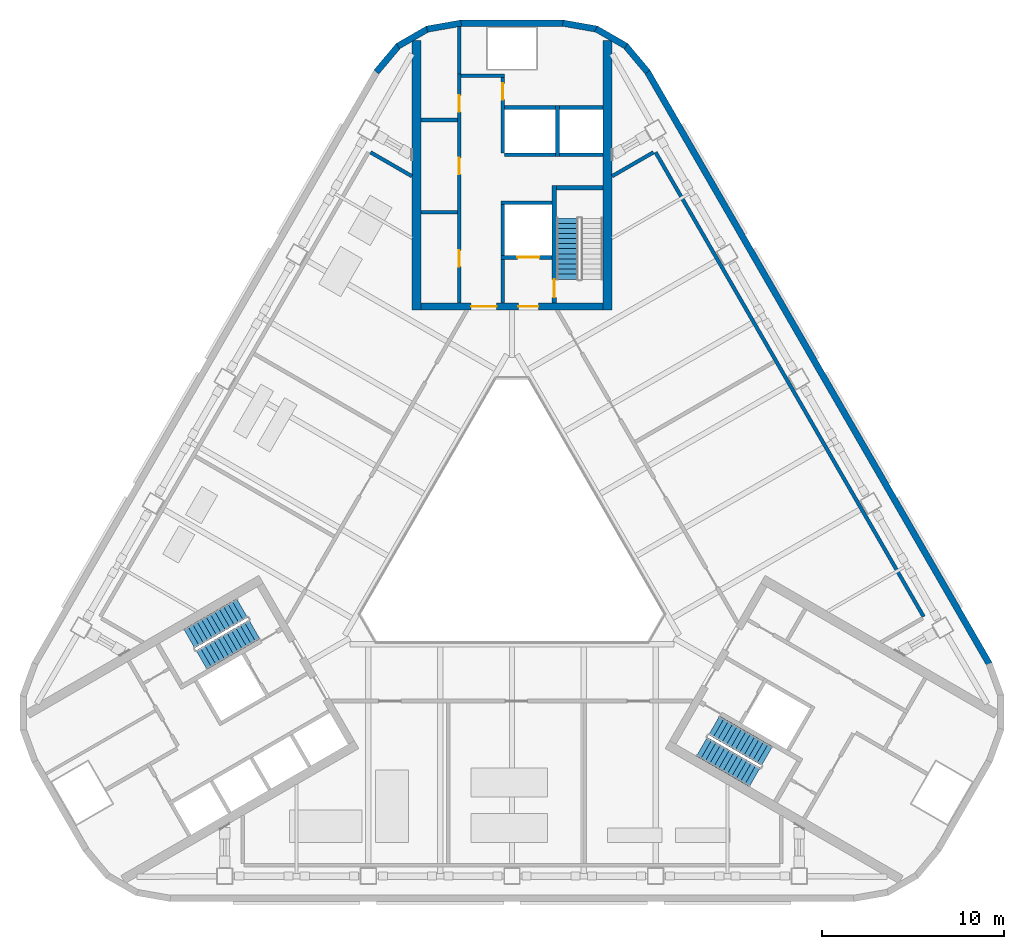
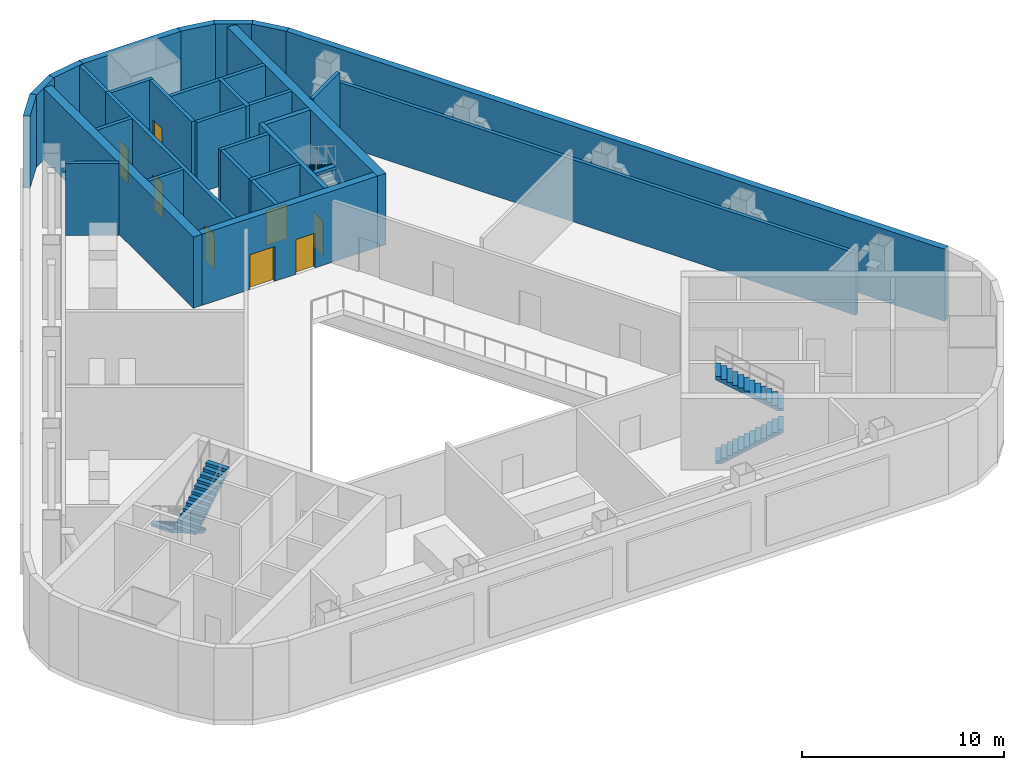
# One storey, part 8 of 14: 31 walls, 8 doors, 5 stair flights, 8 openings, 3 elements without a shape of their own.
"""IFC4 building model written with IfcOpenShell, lengths in metres."""

from ifc_helpers import new_model, si_unit, direction, frame, frame_2d, origin, place, context, subcontext, project, spatial, polyline, rectangle, outline, extrude, material, layer, layer_set, type_object, element, fill, aggregate, save


model = new_model("IFC4")

# Units and contexts
model_context = context("Model", 3, precision=1e-05, world=origin(), true_north=direction((0.0, 1.0)))
body_context = subcontext(model_context, "Body", "Model", "MODEL_VIEW")
ifc_project = project(units=[si_unit("LENGTHUNIT", "METRE"), si_unit("AREAUNIT", "SQUARE_METRE"), si_unit("VOLUMEUNIT", "CUBIC_METRE"), si_unit("PLANEANGLEUNIT", "RADIAN"), si_unit("MASSUNIT", "GRAM", prefix="KILO")], contexts=[model_context])

# Site, building, storey
site_placement = place(None, origin())
site = spatial("IfcSite", under=ifc_project, at=site_placement, CompositionType="ELEMENT")
building_placement = place(site_placement, origin())
building = spatial("IfcBuilding", under=site, at=building_placement, Name="Apuvela Tower Hotel", CompositionType="ELEMENT")
storey_placement = place(building_placement, frame((0.0, 0.0, 142.10009765625)))
storey = spatial("IfcBuildingStorey", under=building, at=storey_placement, Name="L33 Plant", CompositionType="ELEMENT", Elevation=142.10009765625)

# Wall, openings, doors
ifc_material_1 = material(Name="Concrete C50/60", Category="concrete")
ifc_layer_1 = layer(ifc_material_1, 0.39990234375)
ifc_layer_set_1 = layer_set([ifc_layer_1], Name="COR-WALL-CORE-400")
wall_type_1 = type_object("IfcWallType", Name="COR-WALL-CORE-400", PredefinedType="SHEAR", material=ifc_layer_set_1)
wall_1_placement = place(storey_placement, frame((5.0, 13.10009765625, 0.0), z_axis=(0.0, 0.0, 1.0), x_axis=(-1.0, 0.0, 0.0)))
wall_1 = element("IfcWall", 1, at=wall_1_placement, inside=storey, type_object=wall_type_1, Name="Core wall N", PredefinedType="SHEAR", context=body_context, shape_type="SweptSolid", body=[
    extrude(rectangle(XDim=10.0, YDim=0.39990234375, at=frame_2d((5.0, 0.0))), origin(), (0.0, 0.0, 1.0), 4.2998046875),
])
opening_1_placement = place(wall_1_placement, frame((3.550048828125, 0.0, 0.0)))
opening_1 = element("IfcOpeningElement", 2, at=opening_1_placement, cuts=wall_1, Name="Opening N-FD", PredefinedType="OPENING", context=body_context, shape_type="SweptSolid", body=[
    extrude(rectangle(XDim=1.10009765625, YDim=2.10009765625, at=frame_2d((0.550048828125, 1.050048828125))), frame((0.0, 0.2099609375, 0.0), z_axis=(0.0, -1.0, 0.0), x_axis=(1.0, 0.0, 0.0)), (0.0, 0.0, 1.0), 0.419921875),
])
opening_2_placement = place(wall_1_placement, frame((5.85009765625, 0.0, 0.0)))
opening_2 = element("IfcOpeningElement", 3, at=opening_2_placement, cuts=wall_1, Name="Opening N-GD", PredefinedType="OPENING", context=body_context, shape_type="SweptSolid", body=[
    extrude(rectangle(XDim=1.39990234375, YDim=2.10009765625, at=frame_2d((0.699951171875, 1.050048828125))), frame((0.0, 0.2099609375, 0.0), z_axis=(0.0, -1.0, 0.0), x_axis=(1.0, 0.0, 0.0)), (0.0, 0.0, 1.0), 0.419921875),
])
ifc_material_2 = material(Name="Steel fire door, powder coated", Category="steel")
door_type_1 = type_object("IfcDoorType", Name="COR-FD-1100", OperationType="NOTDEFINED", PredefinedType="DOOR", material=ifc_material_2)
door_1_placement = place(opening_1_placement, frame((1.10009765625, 0.0, 0.0), z_axis=(0.0, 0.0, 1.0), x_axis=(-1.0, 0.0, 0.0)))
door_1 = element("IfcDoor", 4, at=door_1_placement, inside=storey, type_object=door_type_1, Name="Firefighting lobby door N-FD", OperationType="SINGLE_SWING_LEFT", OverallHeight=2.10009765625, OverallWidth=1.10009765625, PredefinedType="DOOR", context=body_context, shape_type="SweptSolid", body=[
    extrude(rectangle(XDim=1.10009765625, YDim=2.10009765625, at=frame_2d((0.550048828125, 1.050048828125))), frame((0.0, 0.02490234375, 0.0), z_axis=(0.0, -1.0, 0.0), x_axis=(1.0, 0.0, 0.0)), (0.0, 0.0, 1.0), 0.050048828125),
])
fill(opening_1, door_1)
ifc_material_3 = material(Name="Glazed steel fire door", Category="steel")
door_type_2 = type_object("IfcDoorType", Name="COR-GD-1400", OperationType="DOUBLE_DOOR_SINGLE_SWING", PredefinedType="DOOR", material=ifc_material_3)
door_2_placement = place(opening_2_placement, frame((1.39990234375, 0.0, 0.0), z_axis=(0.0, 0.0, 1.0), x_axis=(-1.0, 0.0, 0.0)))
door_2 = element("IfcDoor", 5, at=door_2_placement, inside=storey, type_object=door_type_2, Name="Lift lobby door N-GD", OperationType="DOUBLE_DOOR_SINGLE_SWING", OverallHeight=2.10009765625, OverallWidth=1.39990234375, PredefinedType="DOOR", context=body_context, shape_type="SweptSolid", body=[
    extrude(rectangle(XDim=1.39990234375, YDim=2.10009765625, at=frame_2d((0.699951171875, 1.050048828125))), frame((0.0, 0.02490234375, 0.0), z_axis=(0.0, -1.0, 0.0), x_axis=(1.0, 0.0, 0.0)), (0.0, 0.0, 1.0), 0.050048828125),
])
fill(opening_2, door_2)

# Walls
ifc_layer_2 = layer(ifc_material_1, 0.5)
ifc_layer_set_2 = layer_set([ifc_layer_2], Name="COR-WALL-CORE-500")
wall_type_2 = type_object("IfcWallType", Name="COR-WALL-CORE-500", PredefinedType="SHEAR", material=ifc_layer_set_2)
for number, where, z_axis, x_axis, name in (
    (6, (5.25, 12.89990234375, 0.0), (0.0, 0.0, 1.0), (0.0, 1.0, 0.0), "Core wall N"),
    (7, (-5.25, 12.89990234375, 0.0), (0.0, 0.0, 1.0), (0.0, 1.0, 0.0), "Core wall N"),
):
    element("IfcWall", number, at=place(storey_placement, frame(where, z_axis=z_axis, x_axis=x_axis)), inside=storey, type_object=wall_type_2, Name=name, PredefinedType="SHEAR", context=body_context, shape_type="SweptSolid", body=[
        extrude(rectangle(XDim=14.8369140625, YDim=0.5, at=frame_2d((7.41845703125, 0.0))), origin(), (0.0, 0.0, 1.0), 4.2998046875),
    ])
ifc_material_4 = material(Name="Blockwork 200 mm plastered", Category="masonry")
ifc_layer_3 = layer(ifc_material_4, 0.199951171875)
ifc_layer_set_3 = layer_set([ifc_layer_3], Name="COR-WALL-PART-200")
wall_type_3 = type_object("IfcWallType", Name="COR-WALL-PART-200", PredefinedType="PARTITIONING", material=ifc_layer_set_3)
wall_2_placement = place(storey_placement, frame((5.0, 21.449951171875, 0.0), z_axis=(0.0, 0.0, 1.0), x_axis=(-1.0, 0.0, 0.0)))
element("IfcWall", 8, at=wall_2_placement, inside=storey, type_object=wall_type_3, Name="Partition N", PredefinedType="PARTITIONING", context=body_context, shape_type="SweptSolid", body=[
    extrude(rectangle(XDim=2.39990234375, YDim=0.199951171875, at=frame_2d((1.199951171875, 0.0))), origin(), (0.0, 0.0, 1.0), 4.2998046875),
])
wall_3_placement = place(storey_placement, frame((2.39990234375, 21.449951171875, 0.0), z_axis=(0.0, 0.0, 1.0), x_axis=(-1.0, 0.0, 0.0)))
element("IfcWall", 9, at=wall_3_placement, inside=storey, type_object=wall_type_3, Name="Partition N", PredefinedType="PARTITIONING", context=body_context, shape_type="SweptSolid", body=[
    extrude(rectangle(XDim=2.7998046875, YDim=0.199951171875, at=frame_2d((1.39990234375, 0.0))), origin(), (0.0, 0.0, 1.0), 4.2998046875),
])
ifc_layer_4 = layer(ifc_material_1, 0.199951171875)
ifc_layer_set_4 = layer_set([ifc_layer_4], Name="COR-WALL-SHAFT-200")
wall_type_4 = type_object("IfcWallType", Name="COR-WALL-SHAFT-200", PredefinedType="SHEAR", material=ifc_layer_set_4)
wall_4_placement = place(storey_placement, frame((2.199951171875, 18.800048828125, 0.0), z_axis=(0.0, 0.0, 1.0), x_axis=(-1.0, 0.0, 0.0)))
element("IfcWall", 10, at=wall_4_placement, inside=storey, type_object=wall_type_4, Name="Shaft wall N", PredefinedType="SHEAR", context=body_context, shape_type="SweptSolid", body=[
    extrude(rectangle(XDim=2.800048828125, YDim=0.199951171875, at=frame_2d((1.39990234375, 0.0))), origin(), (0.0, 0.0, 1.0), 4.2998046875),
])

# Wall, opening, door
wall_5_placement = place(storey_placement, frame((2.199951171875, 15.800048828125, 0.0), z_axis=(0.0, 0.0, 1.0), x_axis=(-1.0, 0.0, 0.0)))
wall_5 = element("IfcWall", 11, at=wall_5_placement, inside=storey, type_object=wall_type_4, Name="Shaft wall N", PredefinedType="SHEAR", context=body_context, shape_type="SweptSolid", body=[
    extrude(rectangle(XDim=2.800048828125, YDim=0.199951171875, at=frame_2d((1.39990234375, 0.0))), origin(), (0.0, 0.0, 1.0), 4.2998046875),
])
opening_3_placement = place(wall_5_placement, frame((0.699951171875, 0.0, 0.0)))
opening_3 = element("IfcOpeningElement", 12, at=opening_3_placement, cuts=wall_5, Name="Opening N-LD-FS1", PredefinedType="OPENING", context=body_context, shape_type="SweptSolid", body=[
    extrude(rectangle(XDim=1.199951171875, YDim=2.10009765625, at=frame_2d((0.60009765625, 1.050048828125))), frame((0.0, 0.10986328125, 0.0), z_axis=(0.0, -1.0, 0.0), x_axis=(1.0, 0.0, 0.0)), (0.0, 0.0, 1.0), 0.219970703125),
])
ifc_material_5 = material(Name="Stainless steel lift landing door", Category="steel")
door_type_3 = type_object("IfcDoorType", Name="COR-LD-1200", OperationType="DOUBLE_DOOR_SLIDING", PredefinedType="DOOR", material=ifc_material_5)
door_3_placement = place(opening_3_placement, origin())
door_3 = element("IfcDoor", 13, at=door_3_placement, inside=storey, type_object=door_type_3, Name="Lift landing door N-LD-FS1", OperationType="DOUBLE_DOOR_SLIDING", OverallHeight=2.10009765625, OverallWidth=1.199951171875, PredefinedType="DOOR", context=body_context, shape_type="SweptSolid", body=[
    extrude(rectangle(XDim=1.199951171875, YDim=2.10009765625, at=frame_2d((0.60009765625, 1.050048828125))), frame((0.0, 0.02490234375, 0.0), z_axis=(0.0, -1.0, 0.0), x_axis=(1.0, 0.0, 0.0)), (0.0, 0.0, 1.0), 0.050048828125),
])
fill(opening_3, door_3)

# Walls
wall_6_placement = place(storey_placement, frame((-0.5, 15.89990234375, 0.0), z_axis=(0.0, 0.0, 1.0), x_axis=(0.0, 1.0, 0.0)))
element("IfcWall", 14, at=wall_6_placement, inside=storey, type_object=wall_type_4, Name="Shaft wall N", PredefinedType="SHEAR", context=body_context, shape_type="SweptSolid", body=[
    extrude(rectangle(XDim=2.800048828125, YDim=0.199951171875, at=frame_2d((1.39990234375, 0.0))), origin(), (0.0, 0.0, 1.0), 4.2998046875),
])
wall_7_placement = place(storey_placement, frame((-0.5, 13.300048828125, 0.0), z_axis=(0.0, 0.0, 1.0), x_axis=(0.0, 1.0, 0.0)))
element("IfcWall", 15, at=wall_7_placement, inside=storey, type_object=wall_type_4, Name="Shaft wall N", PredefinedType="SHEAR", context=body_context, shape_type="SweptSolid", body=[
    extrude(rectangle(XDim=2.39990234375, YDim=0.199951171875, at=frame_2d((1.199951171875, 0.0))), origin(), (0.0, 0.0, 1.0), 4.2998046875),
])

# Wall, openings, doors
wall_8_placement = place(storey_placement, frame((-2.89990234375, 13.300048828125, 0.0), z_axis=(0.0, 0.0, 1.0), x_axis=(0.0, 1.0, 0.0)))
wall_8 = element("IfcWall", 16, at=wall_8_placement, inside=storey, type_object=wall_type_4, Name="Shaft wall N", PredefinedType="SHEAR", context=body_context, shape_type="SweptSolid", body=[
    extrude(rectangle(XDim=12.599853515625, YDim=0.199951171875, at=frame_2d((6.2998046875, 0.0))), origin(), (0.0, 0.0, 1.0), 4.2998046875),
])
opening_4_placement = place(wall_8_placement, frame((1.989990234375, 0.0, 0.0)))
opening_4 = element("IfcOpeningElement", 17, at=opening_4_placement, cuts=wall_8, Name="Opening N-RE1", PredefinedType="OPENING", context=body_context, shape_type="SweptSolid", body=[
    extrude(rectangle(XDim=0.89990234375, YDim=2.10009765625, at=frame_2d((0.449951171875, 1.050048828125))), frame((0.0, 0.10986328125, 0.0), z_axis=(0.0, -1.0, 0.0), x_axis=(1.0, 0.0, 0.0)), (0.0, 0.0, 1.0), 0.219970703125),
])
opening_5_placement = place(wall_8_placement, frame((7.070068359375, 0.0, 0.0)))
opening_5 = element("IfcOpeningElement", 18, at=opening_5_placement, cuts=wall_8, Name="Opening N-RE3", PredefinedType="OPENING", context=body_context, shape_type="SweptSolid", body=[
    extrude(rectangle(XDim=0.89990234375, YDim=2.10009765625, at=frame_2d((0.449951171875, 1.050048828125))), frame((0.0, 0.10986328125, 0.0), z_axis=(0.0, -1.0, 0.0), x_axis=(1.0, 0.0, 0.0)), (0.0, 0.0, 1.0), 0.219970703125),
])
opening_6_placement = place(wall_8_placement, frame((10.510009765625, 0.0, 0.0)))
opening_6 = element("IfcOpeningElement", 19, at=opening_6_placement, cuts=wall_8, Name="Opening N-REP", PredefinedType="OPENING", context=body_context, shape_type="SweptSolid", body=[
    extrude(rectangle(XDim=0.89990234375, YDim=2.10009765625, at=frame_2d((0.449951171875, 1.050048828125))), frame((0.0, 0.10986328125, 0.0), z_axis=(0.0, -1.0, 0.0), x_axis=(1.0, 0.0, 0.0)), (0.0, 0.0, 1.0), 0.219970703125),
])
door_type_4 = type_object("IfcDoorType", Name="COR-DR-900", OperationType="NOTDEFINED", PredefinedType="DOOR", material=ifc_material_2)
door_4_placement = place(opening_4_placement, origin())
door_4 = element("IfcDoor", 20, at=door_4_placement, inside=storey, type_object=door_type_4, Name="Store door N-RE1", OperationType="SINGLE_SWING_LEFT", OverallHeight=2.10009765625, OverallWidth=0.89990234375, PredefinedType="DOOR", context=body_context, shape_type="SweptSolid", body=[
    extrude(rectangle(XDim=0.89990234375, YDim=2.10009765625, at=frame_2d((0.449951171875, 1.050048828125))), frame((0.0, 0.02490234375, 0.0), z_axis=(0.0, -1.0, 0.0), x_axis=(1.0, 0.0, 0.0)), (0.0, 0.0, 1.0), 0.050048828125),
])
fill(opening_4, door_4)
door_5_placement = place(opening_5_placement, origin())
door_5 = element("IfcDoor", 21, at=door_5_placement, inside=storey, type_object=door_type_4, Name="Store door N-RE3", OperationType="SINGLE_SWING_LEFT", OverallHeight=2.10009765625, OverallWidth=0.89990234375, PredefinedType="DOOR", context=body_context, shape_type="SweptSolid", body=[
    extrude(rectangle(XDim=0.89990234375, YDim=2.10009765625, at=frame_2d((0.449951171875, 1.050048828125))), frame((0.0, 0.02490234375, 0.0), z_axis=(0.0, -1.0, 0.0), x_axis=(1.0, 0.0, 0.0)), (0.0, 0.0, 1.0), 0.050048828125),
])
fill(opening_5, door_5)
door_6_placement = place(opening_6_placement, origin())
door_6 = element("IfcDoor", 22, at=door_6_placement, inside=storey, type_object=door_type_4, Name="Store door N-REP", OperationType="SINGLE_SWING_RIGHT", OverallHeight=2.10009765625, OverallWidth=0.89990234375, PredefinedType="DOOR", context=body_context, shape_type="SweptSolid", body=[
    extrude(rectangle(XDim=0.89990234375, YDim=2.10009765625, at=frame_2d((0.449951171875, 1.050048828125))), frame((0.0, 0.02490234375, 0.0), z_axis=(0.0, -1.0, 0.0), x_axis=(1.0, 0.0, 0.0)), (0.0, 0.0, 1.0), 0.050048828125),
])
fill(opening_6, door_6)

# Wall
wall_9_placement = place(storey_placement, frame((-0.39990234375, 25.800048828125, 0.0), z_axis=(0.0, 0.0, 1.0), x_axis=(-1.0, 0.0, 0.0)))
element("IfcWall", 23, at=wall_9_placement, inside=storey, type_object=wall_type_4, Name="Shaft wall N", PredefinedType="SHEAR", context=body_context, shape_type="SweptSolid", body=[
    extrude(rectangle(XDim=2.400146484375, YDim=0.199951171875, at=frame_2d((1.2001953125, 0.0))), origin(), (0.0, 0.0, 1.0), 4.2998046875),
])

# Wall, opening, door
wall_10_placement = place(storey_placement, frame((-0.5, 21.550048828125, 0.0), z_axis=(0.0, 0.0, 1.0), x_axis=(0.0, 1.0, 0.0)))
wall_10 = element("IfcWall", 24, at=wall_10_placement, inside=storey, type_object=wall_type_4, Name="Shaft wall N", PredefinedType="SHEAR", context=body_context, shape_type="SweptSolid", body=[
    extrude(rectangle(XDim=4.14990234375, YDim=0.199951171875, at=frame_2d((2.074951171875, 0.0))), origin(), (0.0, 0.0, 1.0), 4.2998046875),
])
opening_7_placement = place(wall_10_placement, frame((2.925048828125, 0.0, 0.0)))
opening_7 = element("IfcOpeningElement", 25, at=opening_7_placement, cuts=wall_10, Name="Opening N-RSP", PredefinedType="OPENING", context=body_context, shape_type="SweptSolid", body=[
    extrude(rectangle(XDim=0.89990234375, YDim=2.10009765625, at=frame_2d((0.449951171875, 1.050048828125))), frame((0.0, 0.10986328125, 0.0), z_axis=(0.0, -1.0, 0.0), x_axis=(1.0, 0.0, 0.0)), (0.0, 0.0, 1.0), 0.219970703125),
])
door_7_placement = place(opening_7_placement, frame((0.89990234375, 0.0, 0.0), z_axis=(0.0, 0.0, 1.0), x_axis=(-1.0, 0.0, 0.0)))
door_7 = element("IfcDoor", 26, at=door_7_placement, inside=storey, type_object=door_type_4, Name="Store door N-RSP", OperationType="SINGLE_SWING_LEFT", OverallHeight=2.10009765625, OverallWidth=0.89990234375, PredefinedType="DOOR", context=body_context, shape_type="SweptSolid", body=[
    extrude(rectangle(XDim=0.89990234375, YDim=2.10009765625, at=frame_2d((0.449951171875, 1.050048828125))), frame((0.0, 0.02490234375, 0.0), z_axis=(0.0, -1.0, 0.0), x_axis=(1.0, 0.0, 0.0)), (0.0, 0.0, 1.0), 0.050048828125),
])
fill(opening_7, door_7)

# Walls
for number, where, z_axis, x_axis, name in (
    (27, (-3.0, 18.280029296875, 0.0), (0.0, 0.0, 1.0), (-1.0, 0.0, 0.0), "Shaft wall N"),
    (28, (-3.0, 23.360107421875, 0.0), (0.0, 0.0, 1.0), (-1.0, 0.0, 0.0), "Shaft wall N"),
):
    element("IfcWall", number, at=place(storey_placement, frame(where, z_axis=z_axis, x_axis=x_axis)), inside=storey, type_object=wall_type_4, Name=name, PredefinedType="SHEAR", context=body_context, shape_type="SweptSolid", body=[
        extrude(rectangle(XDim=2.0, YDim=0.199951171875, at=frame_2d((1.0, 0.0))), origin(), (0.0, 0.0, 1.0), 4.2998046875),
    ])
wall_11_placement = place(storey_placement, frame((-2.89990234375, 25.89990234375, 0.0), z_axis=(0.0, 0.0, 1.0), x_axis=(0.0, 1.0, 0.0)))
element("IfcWall", 29, at=wall_11_placement, inside=storey, type_object=wall_type_4, Name="Shaft wall N", PredefinedType="SHEAR", context=body_context, shape_type="SweptSolid", body=[
    extrude(rectangle(XDim=2.60009765625, YDim=0.199951171875, at=frame_2d((1.300048828125, 0.0))), origin(), (0.0, 0.0, 1.0), 4.2998046875),
])
wall_12_placement = place(storey_placement, frame((2.5, 21.35009765625, 0.0), z_axis=(0.0, 0.0, 1.0), x_axis=(0.0, 1.0, 0.0)))
element("IfcWall", 30, at=wall_12_placement, inside=storey, type_object=wall_type_4, Name="Shaft wall N", PredefinedType="SHEAR", context=body_context, shape_type="SweptSolid", body=[
    extrude(rectangle(XDim=2.7998046875, YDim=0.199951171875, at=frame_2d((1.39990234375, 0.0))), origin(), (0.0, 0.0, 1.0), 4.2998046875),
])
wall_13_placement = place(storey_placement, frame((5.0, 24.050048828125, 0.0), z_axis=(0.0, 0.0, 1.0), x_axis=(-1.0, 0.0, 0.0)))
element("IfcWall", 31, at=wall_13_placement, inside=storey, type_object=wall_type_4, Name="Shaft wall N", PredefinedType="SHEAR", context=body_context, shape_type="SweptSolid", body=[
    extrude(rectangle(XDim=2.39990234375, YDim=0.199951171875, at=frame_2d((1.199951171875, 0.0))), origin(), (0.0, 0.0, 1.0), 4.2998046875),
])
wall_14_placement = place(storey_placement, frame((2.39990234375, 24.050048828125, 0.0), z_axis=(0.0, 0.0, 1.0), x_axis=(-1.0, 0.0, 0.0)))
element("IfcWall", 32, at=wall_14_placement, inside=storey, type_object=wall_type_4, Name="Shaft wall N", PredefinedType="SHEAR", context=body_context, shape_type="SweptSolid", body=[
    extrude(rectangle(XDim=2.7998046875, YDim=0.199951171875, at=frame_2d((1.39990234375, 0.0))), origin(), (0.0, 0.0, 1.0), 4.2998046875),
])

# Wall, opening, door
ifc_layer_5 = layer(ifc_material_1, 0.25)
ifc_layer_set_5 = layer_set([ifc_layer_5], Name="COR-WALL-STAIR-250")
wall_type_5 = type_object("IfcWallType", Name="COR-WALL-STAIR-250", PredefinedType="SHEAR", material=ifc_layer_set_5)
wall_15_placement = place(storey_placement, frame((2.324951171875, 13.300048828125, 0.0), z_axis=(0.0, 0.0, 1.0), x_axis=(0.0, 1.0, 0.0)))
wall_15 = element("IfcWall", 33, at=wall_15_placement, inside=storey, type_object=wall_type_5, Name="Stair wall N", PredefinedType="SHEAR", context=body_context, shape_type="SweptSolid", body=[
    extrude(rectangle(XDim=6.449951171875, YDim=0.25, at=frame_2d((3.22509765625, 0.0))), origin(), (0.0, 0.0, 1.0), 4.2998046875),
])
opening_8_placement = place(wall_15_placement, frame((0.300048828125, 0.0, 0.0)))
opening_8 = element("IfcOpeningElement", 34, at=opening_8_placement, cuts=wall_15, Name="Opening N-SD", PredefinedType="OPENING", context=body_context, shape_type="SweptSolid", body=[
    extrude(rectangle(XDim=1.0, YDim=2.10009765625, at=frame_2d((0.5, 1.050048828125))), frame((0.0, 0.135009765625, 0.0), z_axis=(0.0, -1.0, 0.0), x_axis=(1.0, 0.0, 0.0)), (0.0, 0.0, 1.0), 0.27001953125),
])
door_type_5 = type_object("IfcDoorType", Name="COR-SD-1000", OperationType="NOTDEFINED", PredefinedType="DOOR", material=ifc_material_2)
door_8_placement = place(opening_8_placement, frame((1.0, 0.0, 0.0), z_axis=(0.0, 0.0, 1.0), x_axis=(-1.0, 0.0, 0.0)))
door_8 = element("IfcDoor", 35, at=door_8_placement, inside=storey, type_object=door_type_5, Name="Stair door N-SD", OperationType="SINGLE_SWING_LEFT", OverallHeight=2.10009765625, OverallWidth=1.0, PredefinedType="DOOR", context=body_context, shape_type="SweptSolid", body=[
    extrude(rectangle(XDim=1.0, YDim=2.10009765625, at=frame_2d((0.5, 1.050048828125))), frame((0.0, 0.02490234375, 0.0), z_axis=(0.0, -1.0, 0.0), x_axis=(1.0, 0.0, 0.0)), (0.0, 0.0, 1.0), 0.050048828125),
])
fill(opening_8, door_8)

# Walls
wall_16_placement = place(storey_placement, frame((5.0, 19.625, 0.0), z_axis=(0.0, 0.0, 1.0), x_axis=(-1.0, 0.0, 0.0)))
element("IfcWall", 36, at=wall_16_placement, inside=storey, type_object=wall_type_5, Name="Stair wall N", PredefinedType="SHEAR", context=body_context, shape_type="SweptSolid", body=[
    extrude(rectangle(XDim=2.550048828125, YDim=0.25, at=frame_2d((1.27490234375, 0.0))), origin(), (0.0, 0.0, 1.0), 4.2998046875),
])
ifc_material_6 = material(Name="Concrete C40/50, dark pigmented precast panel", Category="concrete")
ifc_layer_6 = layer(ifc_material_6, 0.35009765625)
ifc_layer_set_6 = layer_set([ifc_layer_6], Name="ENV-WALL-350")
wall_type_6 = type_object("IfcWallType", Name="ENV-WALL-350", PredefinedType="SOLIDWALL", material=ifc_layer_set_6)
for number, where, z_axis, x_axis, name in (
    (37, (6.27685546875, 27.421630859375, 0.0), (0.0, 0.0, 1.0), (-0.866032345022, 0.499987977232, 0.0), "External wall L33 Plant-01"),
    (38, (4.6796875, 28.35595703125, 0.0), (0.0, 0.0, 1.0), (-0.984798995425, 0.173697837091, 0.0), "External wall L33 Plant-02"),
):
    element("IfcWall", number, at=place(storey_placement, frame(where, z_axis=z_axis, x_axis=x_axis)), inside=storey, type_object=wall_type_6, Name=name, PredefinedType="SOLIDWALL", context=body_context, shape_type="SweptSolid", body=[
        extrude(rectangle(XDim=1.91015625, YDim=0.35009765625, at=frame_2d((0.955078125, 0.0))), origin(), (0.0, 0.0, 1.0), 4.349853515625),
    ])
wall_17_placement = place(storey_placement, frame((2.8291015625, 28.68505859375, 0.0), z_axis=(0.0, 0.0, 1.0), x_axis=(-1.0, 0.0, 0.0)))
element("IfcWall", 39, at=wall_17_placement, inside=storey, type_object=wall_type_6, Name="External wall L33 Plant-03", PredefinedType="SOLIDWALL", context=body_context, shape_type="SweptSolid", body=[
    extrude(rectangle(XDim=5.658203125, YDim=0.35009765625, at=frame_2d((2.8291015625, 0.0))), origin(), (0.0, 0.0, 1.0), 4.349853515625),
])
for number, where, z_axis, x_axis, name in (
    (40, (-2.798583984375, 28.687744140625, 0.0), (0.0, 0.0, 1.0), (-0.984798995425, -0.173697837091, 0.0), "External wall L33 Plant-04"),
    (41, (-4.62255859375, 28.376708984375, 0.0), (0.0, 0.0, 1.0), (-0.866032345022, -0.499987977232, 0.0), "External wall L33 Plant-05"),
):
    element("IfcWall", number, at=place(storey_placement, frame(where, z_axis=z_axis, x_axis=x_axis)), inside=storey, type_object=wall_type_6, Name=name, PredefinedType="SOLIDWALL", context=body_context, shape_type="SweptSolid", body=[
        extrude(rectangle(XDim=1.91015625, YDim=0.35009765625, at=frame_2d((0.955078125, 0.0))), origin(), (0.0, 0.0, 1.0), 4.349853515625),
    ])
wall_18_placement = place(storey_placement, frame((-6.230224609375, 27.460693359375, 0.0), z_axis=(0.0, 0.0, 1.0), x_axis=(-0.642808304945, -0.766027077259, 0.0)))
element("IfcWall", 42, at=wall_18_placement, inside=storey, type_object=wall_type_6, Name="External wall L33 Plant-06", PredefinedType="SOLIDWALL", context=body_context, shape_type="SweptSolid", body=[
    extrude(rectangle(XDim=1.909912109375, YDim=0.35009765625, at=frame_2d((0.955078125, 0.0))), origin(), (0.0, 0.0, 1.0), 4.349853515625),
])
wall_19_placement = place(storey_placement, frame((26.25634765625, -6.5673828125, 0.0), z_axis=(0.0, 0.0, 1.0), x_axis=(-0.499998380999, 0.866026338513, 0.0)))
element("IfcWall", 43, at=wall_19_placement, inside=storey, type_object=wall_type_6, Name="External wall L33 Plant-23", PredefinedType="SOLIDWALL", context=body_context, shape_type="SweptSolid", body=[
    extrude(rectangle(XDim=37.63134765625, YDim=0.35009765625, at=frame_2d((18.815673828125, 0.0))), origin(), (0.0, 0.0, 1.0), 4.349853515625),
])
wall_20_placement = place(storey_placement, frame((7.4580078125, 25.99755859375, 0.0), z_axis=(0.0, 0.0, 1.0), x_axis=(-0.642808304945, 0.766027077259, 0.0)))
element("IfcWall", 44, at=wall_20_placement, inside=storey, type_object=wall_type_6, Name="External wall L33 Plant-24", PredefinedType="SOLIDWALL", context=body_context, shape_type="SweptSolid", body=[
    extrude(rectangle(XDim=1.909912109375, YDim=0.35009765625, at=frame_2d((0.955078125, 0.0))), origin(), (0.0, 0.0, 1.0), 4.349853515625),
])
ifc_material_7 = material(Name="Reinforced blockwork B15", Category="masonry")
ifc_layer_7 = layer(ifc_material_7, 0.199951171875)
ifc_layer_set_7 = layer_set([ifc_layer_7], Name="SPC-WALL-PLANT")
wall_type_7 = type_object("IfcWallType", Name="SPC-WALL-PLANT", PredefinedType="PARTITIONING", material=ifc_layer_set_7)
wall_21_placement = place(storey_placement, frame((7.781494140625, 21.582275390625, 0.0), z_axis=(0.0, 0.0, 1.0), x_axis=(-0.865998849027, -0.500045991369, 0.0)))
element("IfcWall", 45, at=wall_21_placement, inside=storey, type_object=wall_type_7, Name="Wall L33-NE-P05", PredefinedType="PARTITIONING", context=body_context, shape_type="SweptSolid", body=[
    extrude(rectangle(XDim=2.634521484375, YDim=0.199951171875, at=frame_2d((1.3173828125, 0.0))), origin(), (0.0, 0.0, 1.0), 4.349853515625),
])
wall_22_placement = place(storey_placement, frame((22.64306640625, -3.958984375, 0.0), z_axis=(0.0, 0.0, 1.0), x_axis=(-0.499998500593, 0.866026269466, 0.0)))
element("IfcWall", 46, at=wall_22_placement, inside=storey, type_object=wall_type_7, Name="Wall L33-NE-FUR1", PredefinedType="PARTITIONING", context=body_context, shape_type="SweptSolid", body=[
    extrude(rectangle(XDim=29.5, YDim=0.199951171875, at=frame_2d((14.75, 0.0))), origin(), (0.0, 0.0, 1.0), 3.75),
])
wall_23_placement = place(storey_placement, frame((-7.781494140625, 21.582275390625, 0.0), z_axis=(0.0, 0.0, 1.0), x_axis=(0.865998849027, -0.500045991369, 0.0)))
element("IfcWall", 47, at=wall_23_placement, inside=storey, type_object=wall_type_7, Name="Wall L33-NW-P03", PredefinedType="PARTITIONING", context=body_context, shape_type="SweptSolid", body=[
    extrude(rectangle(XDim=2.634521484375, YDim=0.199951171875, at=frame_2d((1.3173828125, 0.0))), origin(), (0.0, 0.0, 1.0), 4.349853515625),
])

# Stair, stair flight
stair_type = type_object("IfcStairType", Name="COR-STAIR-26R", PredefinedType="HALF_TURN_STAIR", material=ifc_material_1)
stair_1_placement = place(storey_placement, origin())
stair_1 = element("IfcStair", 48, at=stair_1_placement, inside=storey, type_object=stair_type, Name="L33 Plant Exit stair ST1", PredefinedType="HALF_TURN_STAIR")
stair_flight_type = type_object("IfcStairFlightType", Name="COR-FLIGHT-13R", PredefinedType="STRAIGHT", material=ifc_material_1)
stair_flight_1_placement = place(storey_placement, frame((3.050048828125, 17.9599609375, 2.25), z_axis=(0.0, 0.0, 1.0), x_axis=(0.0, -1.0, 0.0)))
stair_flight_1 = element("IfcStairFlight", 49, at=stair_flight_1_placement, type_object=stair_flight_type, Name="ST1 flight 2", NumberOfRisers=13, NumberOfTreads=12, PredefinedType="STRAIGHT", RiserHeight=0.173076923, TreadLength=0.28, context=body_context, shape_type="SweptSolid", body=[
    extrude(outline(polyline([(0.0, 0.0), (0.0, 0.173095703125), (0.280029296875, 0.173095703125), (0.280029296875, 0.34619140625), (0.56005859375, 0.34619140625), (0.56005859375, 0.519287109375), (0.840087890625, 0.519287109375), (0.840087890625, 0.6923828125), (1.1201171875, 0.6923828125), (1.1201171875, 0.865478515625), (1.39990234375, 0.865478515625), (1.39990234375, 1.03857421875), (1.679931640625, 1.03857421875), (1.679931640625, 1.21142578125), (1.9599609375, 1.21142578125), (1.9599609375, 1.384521484375), (2.239990234375, 1.384521484375), (2.239990234375, 1.5576171875), (2.52001953125, 1.5576171875), (2.52001953125, 1.730712890625), (2.800048828125, 1.730712890625), (2.800048828125, 1.90380859375), (3.080078125, 1.90380859375), (3.080078125, 2.076904296875), (3.360107421875, 2.076904296875), (3.360107421875, 2.25), (3.360107421875, 1.900634765625), (0.28515625, 0.0), (0.0, 0.0)])), frame((0.0, 0.60009765625, 0.0), z_axis=(0.0, -1.0, 0.0), x_axis=(1.0, 0.0, 0.0)), (0.0, 0.0, 1.0), 1.199951171875),
])
aggregate(stair_1, [stair_flight_1])

# Stair, stair flights
stair_2_placement = place(storey_placement, origin())
stair_2 = element("IfcStair", 50, at=stair_2_placement, inside=storey, type_object=stair_type, Name="L33 Plant Exit stair ST2", PredefinedType="HALF_TURN_STAIR")
stair_flight_2_placement = place(storey_placement, frame((-14.843994140625, -3.489501953125, 0.0), z_axis=(0.0, 0.0, 1.0), x_axis=(-0.866025403784, -0.5, 0.0)))
stair_flight_2 = element("IfcStairFlight", 51, at=stair_flight_2_placement, type_object=stair_flight_type, Name="ST2 flight 1", NumberOfRisers=13, NumberOfTreads=12, PredefinedType="STRAIGHT", RiserHeight=0.173076923, TreadLength=0.28, context=body_context, shape_type="SweptSolid", body=[
    extrude(outline(polyline([(0.0, 0.0), (0.0, 0.173095703125), (0.280029296875, 0.173095703125), (0.280029296875, 0.34619140625), (0.56005859375, 0.34619140625), (0.56005859375, 0.519287109375), (0.840087890625, 0.519287109375), (0.840087890625, 0.6923828125), (1.1201171875, 0.6923828125), (1.1201171875, 0.865478515625), (1.39990234375, 0.865478515625), (1.39990234375, 1.03857421875), (1.679931640625, 1.03857421875), (1.679931640625, 1.21142578125), (1.9599609375, 1.21142578125), (1.9599609375, 1.384521484375), (2.239990234375, 1.384521484375), (2.239990234375, 1.5576171875), (2.52001953125, 1.5576171875), (2.52001953125, 1.730712890625), (2.800048828125, 1.730712890625), (2.800048828125, 1.90380859375), (3.080078125, 1.90380859375), (3.080078125, 2.076904296875), (3.360107421875, 2.076904296875), (3.360107421875, 2.25), (3.360107421875, 1.900634765625), (0.28515625, 0.0), (0.0, 0.0)])), frame((0.0, 0.60009765625, 0.0), z_axis=(0.0, -1.0, 0.0), x_axis=(1.0, 0.0, 0.0)), (0.0, 0.0, 1.0), 1.199951171875),
])
stair_flight_3_placement = place(storey_placement, frame((-17.078857421875, -6.338623046875, 2.25), z_axis=(0.0, 0.0, 1.0), x_axis=(0.866025403784, 0.5, 0.0)))
stair_flight_3 = element("IfcStairFlight", 52, at=stair_flight_3_placement, type_object=stair_flight_type, Name="ST2 flight 2", NumberOfRisers=13, NumberOfTreads=12, PredefinedType="STRAIGHT", RiserHeight=0.173076923, TreadLength=0.28, context=body_context, shape_type="SweptSolid", body=[
    extrude(outline(polyline([(0.0, 0.0), (0.0, 0.173095703125), (0.280029296875, 0.173095703125), (0.280029296875, 0.34619140625), (0.56005859375, 0.34619140625), (0.56005859375, 0.519287109375), (0.840087890625, 0.519287109375), (0.840087890625, 0.6923828125), (1.1201171875, 0.6923828125), (1.1201171875, 0.865478515625), (1.39990234375, 0.865478515625), (1.39990234375, 1.03857421875), (1.679931640625, 1.03857421875), (1.679931640625, 1.21142578125), (1.9599609375, 1.21142578125), (1.9599609375, 1.384521484375), (2.239990234375, 1.384521484375), (2.239990234375, 1.5576171875), (2.52001953125, 1.5576171875), (2.52001953125, 1.730712890625), (2.800048828125, 1.730712890625), (2.800048828125, 1.90380859375), (3.080078125, 1.90380859375), (3.080078125, 2.076904296875), (3.360107421875, 2.076904296875), (3.360107421875, 2.25), (3.360107421875, 1.900634765625), (0.28515625, 0.0), (0.0, 0.0)])), frame((0.0, 0.60009765625, 0.0), z_axis=(0.0, -1.0, 0.0), x_axis=(1.0, 0.0, 0.0)), (0.0, 0.0, 1.0), 1.199951171875),
])
aggregate(stair_2, [stair_flight_2, stair_flight_3])

stair_3_placement = place(storey_placement, origin())
stair_3 = element("IfcStair", 53, at=stair_3_placement, inside=storey, type_object=stair_type, Name="L33 Plant Exit stair ST3", PredefinedType="HALF_TURN_STAIR")
stair_flight_4_placement = place(storey_placement, frame((10.444091796875, -11.110595703125, 0.0), z_axis=(0.0, 0.0, 1.0), x_axis=(0.866025403784, -0.5, 0.0)))
stair_flight_4 = element("IfcStairFlight", 54, at=stair_flight_4_placement, type_object=stair_flight_type, Name="ST3 flight 1", NumberOfRisers=13, NumberOfTreads=12, PredefinedType="STRAIGHT", RiserHeight=0.173076923, TreadLength=0.28, context=body_context, shape_type="SweptSolid", body=[
    extrude(outline(polyline([(0.0, 0.0), (0.0, 0.173095703125), (0.280029296875, 0.173095703125), (0.280029296875, 0.34619140625), (0.56005859375, 0.34619140625), (0.56005859375, 0.519287109375), (0.840087890625, 0.519287109375), (0.840087890625, 0.6923828125), (1.1201171875, 0.6923828125), (1.1201171875, 0.865478515625), (1.39990234375, 0.865478515625), (1.39990234375, 1.03857421875), (1.679931640625, 1.03857421875), (1.679931640625, 1.21142578125), (1.9599609375, 1.21142578125), (1.9599609375, 1.384521484375), (2.239990234375, 1.384521484375), (2.239990234375, 1.5576171875), (2.52001953125, 1.5576171875), (2.52001953125, 1.730712890625), (2.800048828125, 1.730712890625), (2.800048828125, 1.90380859375), (3.080078125, 1.90380859375), (3.080078125, 2.076904296875), (3.360107421875, 2.076904296875), (3.360107421875, 2.25), (3.360107421875, 1.900634765625), (0.28515625, 0.0), (0.0, 0.0)])), frame((0.0, 0.60009765625, 0.0), z_axis=(0.0, -1.0, 0.0), x_axis=(1.0, 0.0, 0.0)), (0.0, 0.0, 1.0), 1.199951171875),
])
stair_flight_5_placement = place(storey_placement, frame((14.02880859375, -11.621337890625, 2.25), z_axis=(0.0, 0.0, 1.0), x_axis=(-0.866025403784, 0.5, 0.0)))
stair_flight_5 = element("IfcStairFlight", 55, at=stair_flight_5_placement, type_object=stair_flight_type, Name="ST3 flight 2", NumberOfRisers=13, NumberOfTreads=12, PredefinedType="STRAIGHT", RiserHeight=0.173076923, TreadLength=0.28, context=body_context, shape_type="SweptSolid", body=[
    extrude(outline(polyline([(0.0, 0.0), (0.0, 0.173095703125), (0.280029296875, 0.173095703125), (0.280029296875, 0.34619140625), (0.56005859375, 0.34619140625), (0.56005859375, 0.519287109375), (0.840087890625, 0.519287109375), (0.840087890625, 0.6923828125), (1.1201171875, 0.6923828125), (1.1201171875, 0.865478515625), (1.39990234375, 0.865478515625), (1.39990234375, 1.03857421875), (1.679931640625, 1.03857421875), (1.679931640625, 1.21142578125), (1.9599609375, 1.21142578125), (1.9599609375, 1.384521484375), (2.239990234375, 1.384521484375), (2.239990234375, 1.5576171875), (2.52001953125, 1.5576171875), (2.52001953125, 1.730712890625), (2.800048828125, 1.730712890625), (2.800048828125, 1.90380859375), (3.080078125, 1.90380859375), (3.080078125, 2.076904296875), (3.360107421875, 2.076904296875), (3.360107421875, 2.25), (3.360107421875, 1.900634765625), (0.28515625, 0.0), (0.0, 0.0)])), frame((0.0, 0.60009765625, 0.0), z_axis=(0.0, -1.0, 0.0), x_axis=(1.0, 0.0, 0.0)), (0.0, 0.0, 1.0), 1.199951171875),
])
aggregate(stair_3, [stair_flight_4, stair_flight_5])

save(model, "model.ifc")
